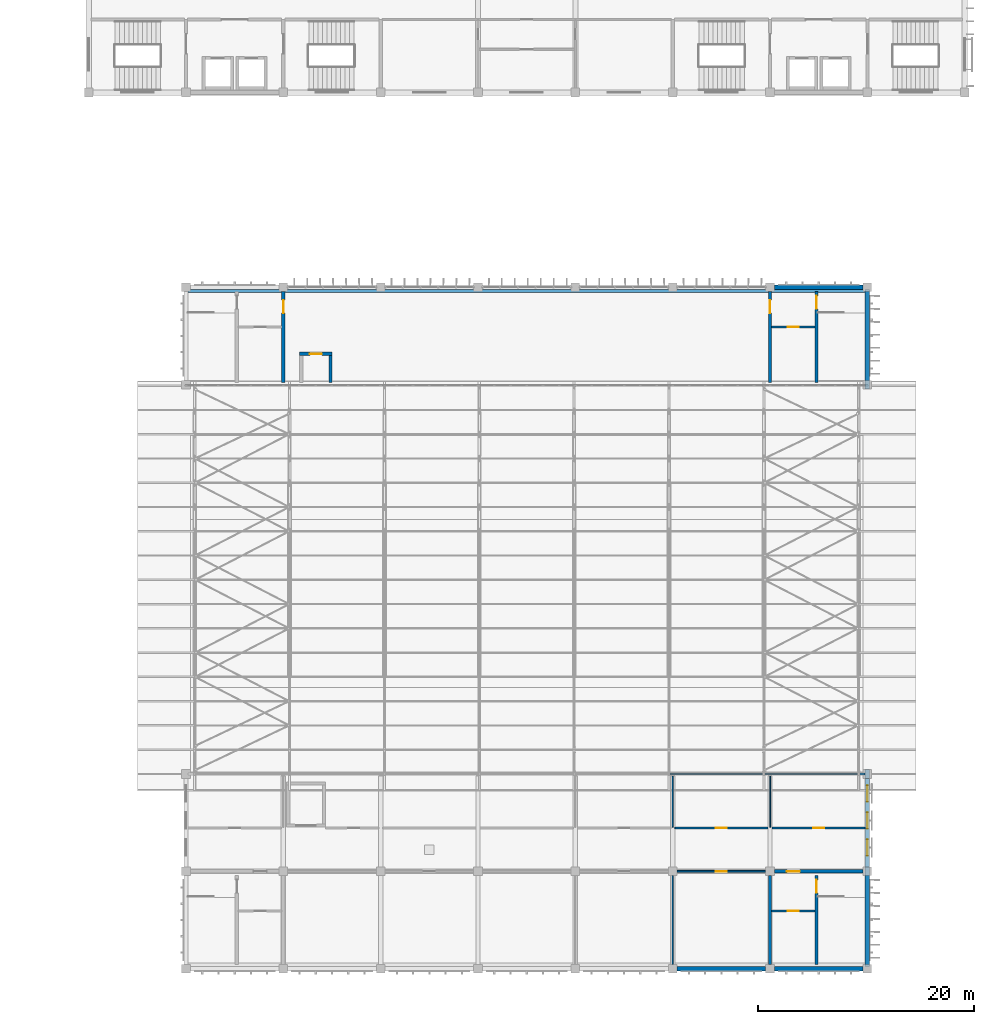
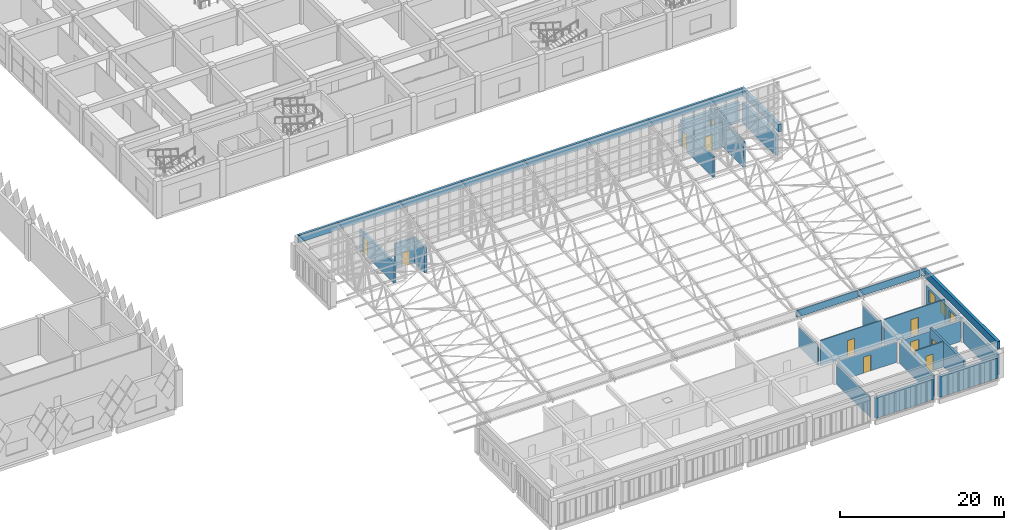
# One storey, part 121 of 185: 28 walls, 11 doors, 3 windows, 14 openings.
"""IFC4 building model written with IfcOpenShell, lengths in metres."""

from ifc_helpers import new_model, si_unit, direction, frame, frame_2d, origin, place, context, subcontext, project, spatial, rectangle, extrude, material, layer, layer_set, type_object, element, fill, save


model = new_model("IFC4")

# Units and contexts
model_context = context("Model", 3, precision=1e-05, world=origin(), true_north=direction((0.0, 1.0)))
body_context = subcontext(model_context, "Body", "Model", "MODEL_VIEW")
ifc_project = project(units=[si_unit("LENGTHUNIT", "METRE"), si_unit("AREAUNIT", "SQUARE_METRE"), si_unit("VOLUMEUNIT", "CUBIC_METRE"), si_unit("PLANEANGLEUNIT", "RADIAN"), si_unit("MASSUNIT", "GRAM", prefix="KILO")], contexts=[model_context])

# Site, building, storey
site_placement = place(None, origin())
site = spatial("IfcSite", under=ifc_project, at=site_placement, CompositionType="ELEMENT")
building_placement = place(site_placement, origin())
building = spatial("IfcBuilding", under=site, at=building_placement, Name="Opaline Strait Convention Centre", CompositionType="ELEMENT")
storey_placement = place(building_placement, frame((0.0, 0.0, 6.0)))
storey = spatial("IfcBuildingStorey", under=building, at=storey_placement, Name="L01", CompositionType="ELEMENT", Elevation=6.0)

# Wall, opening, door
ifc_material_1 = material(Name="Concrete C40", Category="concrete")
ifc_layer_1 = layer(ifc_material_1, 0.300048828125)
ifc_layer_set_1 = layer_set([ifc_layer_1], Name="Concrete C40")
wall_type_1 = type_object("IfcWallType", Name="Core enclosure wall 300 C40", PredefinedType="STANDARD", material=ifc_layer_set_1)
wall_1_placement = place(storey_placement, frame((346.300048828125, 9.39990234375, 0.0), z_axis=(0.0, 0.0, 1.0), x_axis=(0.0, 1.0, 0.0)))
wall_1 = element("IfcWall", 1, at=wall_1_placement, inside=storey, type_object=wall_type_1, Name="Stair enclosure wall L01 SE", PredefinedType="STANDARD", context=body_context, shape_type="SweptSolid", body=[
    extrude(rectangle(XDim=8.2001953125, YDim=0.300048828125, at=frame_2d((4.10009765625, 0.0))), origin(), (0.0, 0.0, 1.0), 3.75),
])
opening_1_placement = place(wall_1_placement, frame((6.60009765625, 0.0, 0.0)))
opening_1 = element("IfcOpeningElement", 2, at=opening_1_placement, cuts=wall_1, Name="Opening B1-004", PredefinedType="OPENING", context=body_context, shape_type="SweptSolid", body=[
    extrude(rectangle(XDim=1.199951171875, YDim=2.39990234375, at=frame_2d((0.60009765625, 1.199951171875))), frame((0.0, 0.159912109375, 0.0), z_axis=(0.0, -1.0, 0.0), x_axis=(1.0, 0.0, 0.0)), (0.0, 0.0, 1.0), 0.320068359375),
])
ifc_material_2 = material(Name="Steel Q235B", Category="steel")
door_type_1 = type_object("IfcDoorType", Name="Single fire door FD60 1200 x 2400", OperationType="SINGLE_SWING_LEFT", PredefinedType="DOOR", material=ifc_material_2)
door_1_placement = place(opening_1_placement, origin())
door_1 = element("IfcDoor", 3, at=door_1_placement, inside=storey, type_object=door_type_1, Name="Stair door L01 SE", ObjectType="BD5", OperationType="SINGLE_SWING_LEFT", OverallHeight=2.39990234375, OverallWidth=1.199951171875, PredefinedType="DOOR", context=body_context, shape_type="SweptSolid", body=[
    extrude(rectangle(XDim=1.199951171875, YDim=2.39990234375, at=frame_2d((0.60009765625, 1.199951171875))), frame((0.0, 0.02490234375, 0.0), z_axis=(0.0, -1.0, 0.0), x_axis=(1.0, 0.0, 0.0)), (0.0, 0.0, 1.0), 0.050048828125),
])
fill(opening_1, door_1)

# Wall
wall_2_placement = place(storey_placement, frame((342.0, 9.39990234375, 0.0), z_axis=(0.0, 0.0, 1.0), x_axis=(0.0, 1.0, 0.0)))
element("IfcWall", 4, at=wall_2_placement, inside=storey, type_object=wall_type_1, Name="Core wall L01 SE", PredefinedType="STANDARD", context=body_context, shape_type="SweptSolid", body=[
    extrude(rectangle(XDim=8.2001953125, YDim=0.300048828125, at=frame_2d((4.10009765625, 0.0))), origin(), (0.0, 0.0, 1.0), 3.050048828125),
])

# Wall, opening, door
wall_3_placement = place(storey_placement, frame((342.39990234375, 18.0, 0.0), z_axis=(0.0, 0.0, 1.0), x_axis=(1.0, 0.0, 0.0)))
wall_3 = element("IfcWall", 5, at=wall_3_placement, inside=storey, type_object=wall_type_1, Name="Core north wall L01 SE", PredefinedType="STANDARD", context=body_context, shape_type="SweptSolid", body=[
    extrude(rectangle(XDim=8.2001953125, YDim=0.300048828125, at=frame_2d((4.10009765625, 0.0))), origin(), (0.0, 0.0, 1.0), 3.050048828125),
])
opening_2_placement = place(wall_3_placement, frame((1.14990234375, 0.0, 0.0)))
opening_2 = element("IfcOpeningElement", 6, at=opening_2_placement, cuts=wall_3, Name="Opening B1-005", PredefinedType="OPENING", context=body_context, shape_type="SweptSolid", body=[
    extrude(rectangle(XDim=1.199951171875, YDim=2.39990234375, at=frame_2d((0.60009765625, 1.199951171875))), frame((0.0, 0.159912109375, 0.0), z_axis=(0.0, -1.0, 0.0), x_axis=(1.0, 0.0, 0.0)), (0.0, 0.0, 1.0), 0.320068359375),
])
door_2_placement = place(opening_2_placement, origin())
door_2 = element("IfcDoor", 7, at=door_2_placement, inside=storey, type_object=door_type_1, Name="Stair lobby door L01 SE", ObjectType="BD5", OperationType="SINGLE_SWING_RIGHT", OverallHeight=2.39990234375, OverallWidth=1.199951171875, PredefinedType="DOOR", context=body_context, shape_type="SweptSolid", body=[
    extrude(rectangle(XDim=1.199951171875, YDim=2.39990234375, at=frame_2d((0.60009765625, 1.199951171875))), frame((0.0, 0.02490234375, 0.0), z_axis=(0.0, -1.0, 0.0), x_axis=(1.0, 0.0, 0.0)), (0.0, 0.0, 1.0), 0.050048828125),
])
fill(opening_2, door_2)

wall_4_placement = place(storey_placement, frame((297.0, 63.199951171875, 0.0), z_axis=(0.0, 0.0, 1.0), x_axis=(0.0, 1.0, 0.0)))
wall_4 = element("IfcWall", 8, at=wall_4_placement, inside=storey, type_object=wall_type_1, Name="Core wall L01 NW", PredefinedType="STANDARD", context=body_context, shape_type="SweptSolid", body=[
    extrude(rectangle(XDim=8.400146484375, YDim=0.300048828125, at=frame_2d((4.2001953125, 0.0))), origin(), (0.0, 0.0, 1.0), 3.050048828125),
])
opening_3_placement = place(wall_4_placement, frame((6.39990234375, 0.0, 0.0)))
opening_3 = element("IfcOpeningElement", 9, at=opening_3_placement, cuts=wall_4, Name="Opening B1-008", PredefinedType="OPENING", context=body_context, shape_type="SweptSolid", body=[
    extrude(rectangle(XDim=1.199951171875, YDim=2.39990234375, at=frame_2d((0.60009765625, 1.199951171875))), frame((0.0, 0.159912109375, 0.0), z_axis=(0.0, -1.0, 0.0), x_axis=(1.0, 0.0, 0.0)), (0.0, 0.0, 1.0), 0.320068359375),
])
door_3_placement = place(opening_3_placement, frame((1.199951171875, 0.0, 0.0), z_axis=(0.0, 0.0, 1.0), x_axis=(-1.0, 0.0, 0.0)))
door_3 = element("IfcDoor", 10, at=door_3_placement, inside=storey, type_object=door_type_1, Name="Stair lobby door L01 NW", ObjectType="BD5", OperationType="SINGLE_SWING_RIGHT", OverallHeight=2.39990234375, OverallWidth=1.199951171875, PredefinedType="DOOR", context=body_context, shape_type="SweptSolid", body=[
    extrude(rectangle(XDim=1.199951171875, YDim=2.39990234375, at=frame_2d((0.60009765625, 1.199951171875))), frame((0.0, 0.02490234375, 0.0), z_axis=(0.0, -1.0, 0.0), x_axis=(1.0, 0.0, 0.0)), (0.0, 0.0, 1.0), 0.050048828125),
])
fill(opening_3, door_3)

wall_5_placement = place(storey_placement, frame((346.300048828125, 63.199951171875, 0.0), z_axis=(0.0, 0.0, 1.0), x_axis=(0.0, 1.0, 0.0)))
wall_5 = element("IfcWall", 11, at=wall_5_placement, inside=storey, type_object=wall_type_1, Name="Stair enclosure wall L01 NE", PredefinedType="STANDARD", context=body_context, shape_type="SweptSolid", body=[
    extrude(rectangle(XDim=8.400146484375, YDim=0.300048828125, at=frame_2d((4.2001953125, 0.0))), origin(), (0.0, 0.0, 1.0), 3.75),
])
opening_4_placement = place(wall_5_placement, frame((6.800048828125, 0.0, 0.0)))
opening_4 = element("IfcOpeningElement", 12, at=opening_4_placement, cuts=wall_5, Name="Opening B1-010", PredefinedType="OPENING", context=body_context, shape_type="SweptSolid", body=[
    extrude(rectangle(XDim=1.199951171875, YDim=2.39990234375, at=frame_2d((0.60009765625, 1.199951171875))), frame((0.0, 0.159912109375, 0.0), z_axis=(0.0, -1.0, 0.0), x_axis=(1.0, 0.0, 0.0)), (0.0, 0.0, 1.0), 0.320068359375),
])
door_4_placement = place(opening_4_placement, origin())
door_4 = element("IfcDoor", 13, at=door_4_placement, inside=storey, type_object=door_type_1, Name="Stair door L01 NE", ObjectType="BD5", OperationType="SINGLE_SWING_LEFT", OverallHeight=2.39990234375, OverallWidth=1.199951171875, PredefinedType="DOOR", context=body_context, shape_type="SweptSolid", body=[
    extrude(rectangle(XDim=1.199951171875, YDim=2.39990234375, at=frame_2d((0.60009765625, 1.199951171875))), frame((0.0, 0.02490234375, 0.0), z_axis=(0.0, -1.0, 0.0), x_axis=(1.0, 0.0, 0.0)), (0.0, 0.0, 1.0), 0.050048828125),
])
fill(opening_4, door_4)

wall_6_placement = place(storey_placement, frame((342.0, 63.199951171875, 0.0), z_axis=(0.0, 0.0, 1.0), x_axis=(0.0, 1.0, 0.0)))
wall_6 = element("IfcWall", 14, at=wall_6_placement, inside=storey, type_object=wall_type_1, Name="Core wall L01 NE", PredefinedType="STANDARD", context=body_context, shape_type="SweptSolid", body=[
    extrude(rectangle(XDim=8.400146484375, YDim=0.300048828125, at=frame_2d((4.2001953125, 0.0))), origin(), (0.0, 0.0, 1.0), 3.050048828125),
])
opening_5_placement = place(wall_6_placement, frame((6.39990234375, 0.0, 0.0)))
opening_5 = element("IfcOpeningElement", 15, at=opening_5_placement, cuts=wall_6, Name="Opening B1-011", PredefinedType="OPENING", context=body_context, shape_type="SweptSolid", body=[
    extrude(rectangle(XDim=1.199951171875, YDim=2.39990234375, at=frame_2d((0.60009765625, 1.199951171875))), frame((0.0, 0.159912109375, 0.0), z_axis=(0.0, -1.0, 0.0), x_axis=(1.0, 0.0, 0.0)), (0.0, 0.0, 1.0), 0.320068359375),
])
door_5_placement = place(opening_5_placement, origin())
door_5 = element("IfcDoor", 16, at=door_5_placement, inside=storey, type_object=door_type_1, Name="Stair lobby door L01 NE", ObjectType="BD5", OperationType="SINGLE_SWING_LEFT", OverallHeight=2.39990234375, OverallWidth=1.199951171875, PredefinedType="DOOR", context=body_context, shape_type="SweptSolid", body=[
    extrude(rectangle(XDim=1.199951171875, YDim=2.39990234375, at=frame_2d((0.60009765625, 1.199951171875))), frame((0.0, 0.02490234375, 0.0), z_axis=(0.0, -1.0, 0.0), x_axis=(1.0, 0.0, 0.0)), (0.0, 0.0, 1.0), 0.050048828125),
])
fill(opening_5, door_5)

ifc_material_3 = material(Name="Gypsum board and steel stud partition", Category="steel")
ifc_layer_2 = layer(ifc_material_3, 0.14990234375)
ifc_layer_set_2 = layer_set([ifc_layer_2], Name="Gypsum board and steel stud partition")
wall_type_2 = type_object("IfcWallType", Name="Corridor partition 150 EI 60", PredefinedType="PARTITIONING", material=ifc_layer_set_2)
wall_7_placement = place(storey_placement, frame((342.14990234375, 14.324951171875, 0.0), z_axis=(0.0, 0.0, 1.0), x_axis=(1.0, 0.0, 0.0)))
wall_7 = element("IfcWall", 17, at=wall_7_placement, inside=storey, type_object=wall_type_2, Name="Lobby partition L01 SE", PredefinedType="PARTITIONING", context=body_context, shape_type="SweptSolid", body=[
    extrude(rectangle(XDim=4.0, YDim=0.14990234375, at=frame_2d((2.0, 0.0))), origin(), (0.0, 0.0, 1.0), 3.75),
])
opening_6_placement = place(wall_7_placement, frame((1.5, 0.0, 0.0)))
opening_6 = element("IfcOpeningElement", 18, at=opening_6_placement, cuts=wall_7, Name="Opening B1-006", PredefinedType="OPENING", context=body_context, shape_type="SweptSolid", body=[
    extrude(rectangle(XDim=1.0, YDim=2.39990234375, at=frame_2d((0.5, 1.199951171875))), frame((0.0, 0.0849609375, 0.0), z_axis=(0.0, -1.0, 0.0), x_axis=(1.0, 0.0, 0.0)), (0.0, 0.0, 1.0), 0.169921875),
])
ifc_material_4 = material(Name="Solid timber door leaf", Category="wood")
door_type_2 = type_object("IfcDoorType", Name="Single room door 1000 x 2400", OperationType="SINGLE_SWING_LEFT", PredefinedType="DOOR", material=ifc_material_4)
door_6_placement = place(opening_6_placement, origin())
door_6 = element("IfcDoor", 19, at=door_6_placement, inside=storey, type_object=door_type_2, Name="Accessible WC door L01", ObjectType="BD3", OperationType="SINGLE_SWING_LEFT", OverallHeight=2.39990234375, OverallWidth=1.0, PredefinedType="DOOR", context=body_context, shape_type="SweptSolid", body=[
    extrude(rectangle(XDim=1.0, YDim=2.39990234375, at=frame_2d((0.5, 1.199951171875))), frame((0.0, 0.02490234375, 0.0), z_axis=(0.0, -1.0, 0.0), x_axis=(1.0, 0.0, 0.0)), (0.0, 0.0, 1.0), 0.050048828125),
])
fill(opening_6, door_6)

wall_8_placement = place(storey_placement, frame((342.14990234375, 68.324951171875, 0.0), z_axis=(0.0, 0.0, 1.0), x_axis=(1.0, 0.0, 0.0)))
wall_8 = element("IfcWall", 20, at=wall_8_placement, inside=storey, type_object=wall_type_2, Name="Lobby partition L01 NE", PredefinedType="PARTITIONING", context=body_context, shape_type="SweptSolid", body=[
    extrude(rectangle(XDim=4.0, YDim=0.14990234375, at=frame_2d((2.0, 0.0))), origin(), (0.0, 0.0, 1.0), 3.75),
])
opening_7_placement = place(wall_8_placement, frame((1.5, 0.0, 0.0)))
opening_7 = element("IfcOpeningElement", 21, at=opening_7_placement, cuts=wall_8, Name="Opening B1-012", PredefinedType="OPENING", context=body_context, shape_type="SweptSolid", body=[
    extrude(rectangle(XDim=1.0, YDim=2.39990234375, at=frame_2d((0.5, 1.199951171875))), frame((0.0, 0.0849609375, 0.0), z_axis=(0.0, -1.0, 0.0), x_axis=(1.0, 0.0, 0.0)), (0.0, 0.0, 1.0), 0.169921875),
])
door_7_placement = place(opening_7_placement, origin())
door_7 = element("IfcDoor", 22, at=door_7_placement, inside=storey, type_object=door_type_2, Name="AV control room door L01", ObjectType="BD3", OperationType="SINGLE_SWING_LEFT", OverallHeight=2.39990234375, OverallWidth=1.0, PredefinedType="DOOR", context=body_context, shape_type="SweptSolid", body=[
    extrude(rectangle(XDim=1.0, YDim=2.39990234375, at=frame_2d((0.5, 1.199951171875))), frame((0.0, 0.02490234375, 0.0), z_axis=(0.0, -1.0, 0.0), x_axis=(1.0, 0.0, 0.0)), (0.0, 0.0, 1.0), 0.050048828125),
])
fill(opening_7, door_7)

wall_9_placement = place(storey_placement, frame((333.39990234375, 18.0, 0.0), z_axis=(0.0, 0.0, 1.0), x_axis=(1.0, 0.0, 0.0)))
wall_9 = element("IfcWall", 23, at=wall_9_placement, inside=storey, type_object=wall_type_2, Name="Corridor wall L01 y18 bay 5", PredefinedType="PARTITIONING", context=body_context, shape_type="SweptSolid", body=[
    extrude(rectangle(XDim=8.2001953125, YDim=0.14990234375, at=frame_2d((4.10009765625, 0.0))), origin(), (0.0, 0.0, 1.0), 3.050048828125),
])
opening_8_placement = place(wall_9_placement, frame((3.60009765625, 0.0, 0.0)))
opening_8 = element("IfcOpeningElement", 24, at=opening_8_placement, cuts=wall_9, Name="Opening B1-015", PredefinedType="OPENING", context=body_context, shape_type="SweptSolid", body=[
    extrude(rectangle(XDim=1.0, YDim=2.39990234375, at=frame_2d((0.5, 1.199951171875))), frame((0.0, 0.0849609375, 0.0), z_axis=(0.0, -1.0, 0.0), x_axis=(1.0, 0.0, 0.0)), (0.0, 0.0, 1.0), 0.169921875),
])
door_type_3 = type_object("IfcDoorType", Name="Single fire door FD30 1000 x 2400", OperationType="SINGLE_SWING_LEFT", PredefinedType="DOOR", material=ifc_material_2)
door_8_placement = place(opening_8_placement, origin())
door_8 = element("IfcDoor", 25, at=door_8_placement, inside=storey, type_object=door_type_3, Name="Room door L01 y18 5", ObjectType="BD2", OperationType="SINGLE_SWING_LEFT", OverallHeight=2.39990234375, OverallWidth=1.0, PredefinedType="DOOR", context=body_context, shape_type="SweptSolid", body=[
    extrude(rectangle(XDim=1.0, YDim=2.39990234375, at=frame_2d((0.5, 1.199951171875))), frame((0.0, 0.02490234375, 0.0), z_axis=(0.0, -1.0, 0.0), x_axis=(1.0, 0.0, 0.0)), (0.0, 0.0, 1.0), 0.050048828125),
])
fill(opening_8, door_8)

wall_10_placement = place(storey_placement, frame((333.199951171875, 22.0, 0.0), z_axis=(0.0, 0.0, 1.0), x_axis=(1.0, 0.0, 0.0)))
wall_10 = element("IfcWall", 26, at=wall_10_placement, inside=storey, type_object=wall_type_2, Name="Corridor wall L01 y22 bay 5", PredefinedType="PARTITIONING", context=body_context, shape_type="SweptSolid", body=[
    extrude(rectangle(XDim=8.60009765625, YDim=0.14990234375, at=frame_2d((4.300048828125, 0.0))), origin(), (0.0, 0.0, 1.0), 3.75),
])
opening_9_placement = place(wall_10_placement, frame((3.800048828125, 0.0, 0.0)))
opening_9 = element("IfcOpeningElement", 27, at=opening_9_placement, cuts=wall_10, Name="Opening B1-019", PredefinedType="OPENING", context=body_context, shape_type="SweptSolid", body=[
    extrude(rectangle(XDim=1.0, YDim=2.39990234375, at=frame_2d((0.5, 1.199951171875))), frame((0.0, 0.0849609375, 0.0), z_axis=(0.0, -1.0, 0.0), x_axis=(1.0, 0.0, 0.0)), (0.0, 0.0, 1.0), 0.169921875),
])
door_9_placement = place(opening_9_placement, frame((1.0, 0.0, 0.0), z_axis=(0.0, 0.0, 1.0), x_axis=(-1.0, 0.0, 0.0)))
door_9 = element("IfcDoor", 28, at=door_9_placement, inside=storey, type_object=door_type_3, Name="Room door L01 y22 5", ObjectType="BD2", OperationType="SINGLE_SWING_RIGHT", OverallHeight=2.39990234375, OverallWidth=1.0, PredefinedType="DOOR", context=body_context, shape_type="SweptSolid", body=[
    extrude(rectangle(XDim=1.0, YDim=2.39990234375, at=frame_2d((0.5, 1.199951171875))), frame((0.0, 0.02490234375, 0.0), z_axis=(0.0, -1.0, 0.0), x_axis=(1.0, 0.0, 0.0)), (0.0, 0.0, 1.0), 0.050048828125),
])
fill(opening_9, door_9)

wall_11_placement = place(storey_placement, frame((342.199951171875, 22.0, 0.0), z_axis=(0.0, 0.0, 1.0), x_axis=(1.0, 0.0, 0.0)))
wall_11 = element("IfcWall", 29, at=wall_11_placement, inside=storey, type_object=wall_type_2, Name="Corridor wall L01 y22 bay 6", PredefinedType="PARTITIONING", context=body_context, shape_type="SweptSolid", body=[
    extrude(rectangle(XDim=8.60009765625, YDim=0.14990234375, at=frame_2d((4.300048828125, 0.0))), origin(), (0.0, 0.0, 1.0), 3.75),
])
opening_10_placement = place(wall_11_placement, frame((3.800048828125, 0.0, 0.0)))
opening_10 = element("IfcOpeningElement", 30, at=opening_10_placement, cuts=wall_11, Name="Opening B1-020", PredefinedType="OPENING", context=body_context, shape_type="SweptSolid", body=[
    extrude(rectangle(XDim=1.0, YDim=2.39990234375, at=frame_2d((0.5, 1.199951171875))), frame((0.0, 0.0849609375, 0.0), z_axis=(0.0, -1.0, 0.0), x_axis=(1.0, 0.0, 0.0)), (0.0, 0.0, 1.0), 0.169921875),
])
door_10_placement = place(opening_10_placement, frame((1.0, 0.0, 0.0), z_axis=(0.0, 0.0, 1.0), x_axis=(-1.0, 0.0, 0.0)))
door_10 = element("IfcDoor", 31, at=door_10_placement, inside=storey, type_object=door_type_3, Name="Room door L01 y22 6", ObjectType="BD2", OperationType="SINGLE_SWING_RIGHT", OverallHeight=2.39990234375, OverallWidth=1.0, PredefinedType="DOOR", context=body_context, shape_type="SweptSolid", body=[
    extrude(rectangle(XDim=1.0, YDim=2.39990234375, at=frame_2d((0.5, 1.199951171875))), frame((0.0, 0.02490234375, 0.0), z_axis=(0.0, -1.0, 0.0), x_axis=(1.0, 0.0, 0.0)), (0.0, 0.0, 1.0), 0.050048828125),
])
fill(opening_10, door_10)

# Walls
ifc_material_5 = material(Name="Concrete C40 precast white", Category="concrete")
ifc_layer_3 = layer(ifc_material_5, 0.1201171875)
ifc_material_6 = material(Name="Mineral wool insulation")
ifc_layer_4 = layer(ifc_material_6, 0.050048828125)
ifc_material_7 = material(Name="Gypsum board lining")
ifc_layer_5 = layer(ifc_material_7, 0.030029296875)
ifc_layer_set_3 = layer_set([ifc_layer_3, ifc_layer_4, ifc_layer_5], Name="Concrete C40 precast white, Mineral wool insulation, Gypsum board lining")
wall_type_3 = type_object("IfcWallType", Name="Eaves closure panel 200", PredefinedType="STANDARD", material=ifc_layer_set_3)
for number, where, z_axis, x_axis, name in (
    (32, (332.74462890625, 27.0, 4.324951171875), (0.0, 0.0, 1.0), (1.0, 0.0, 0.0), "Ballroom south eaves closure panel 7"),
    (33, (341.51611328125, 27.0, 4.324951171875), (0.0, 0.0, 1.0), (1.0, 0.0, 0.0), "Ballroom south eaves closure panel 8"),
):
    element("IfcWall", number, at=place(storey_placement, frame(where, z_axis=z_axis, x_axis=x_axis)), inside=storey, type_object=wall_type_3, Name=name, PredefinedType="STANDARD", context=body_context, shape_type="SweptSolid", body=[
        extrude(rectangle(XDim=8.596435546875, YDim=0.199951171875, at=frame_2d((4.29833984375, 0.0))), origin(), (0.0, 0.0, 1.0), 1.060546875),
    ])
wall_12_placement = place(storey_placement, frame((350.28759765625, 27.0, 4.324951171875), z_axis=(0.0, 0.0, 1.0), x_axis=(1.0, 0.0, 0.0)))
element("IfcWall", 34, at=wall_12_placement, inside=storey, type_object=wall_type_3, Name="Ballroom south eaves closure panel 9", PredefinedType="STANDARD", context=body_context, shape_type="SweptSolid", body=[
    extrude(rectangle(XDim=0.512451171875, YDim=0.199951171875, at=frame_2d((0.25634765625, 0.0))), origin(), (0.0, 0.0, 1.0), 1.060546875),
])

# Wall, opening, door
ifc_layer_6 = layer(ifc_material_1, 0.300048828125)
ifc_layer_set_4 = layer_set([ifc_layer_6], Name="Concrete C40")
wall_type_4 = type_object("IfcWallType", Name="Lift shaft wall 300 C40", PredefinedType="SHEAR", material=ifc_layer_set_4)
wall_13_placement = place(storey_placement, frame((298.5, 65.85009765625, 0.0), z_axis=(0.0, 0.0, 1.0), x_axis=(1.0, 0.0, 0.0)))
wall_13 = element("IfcWall", 35, at=wall_13_placement, inside=storey, type_object=wall_type_4, Name="Passenger Lift shaft wall L01 N", PredefinedType="SHEAR", context=body_context, shape_type="SweptSolid", body=[
    extrude(rectangle(XDim=3.0, YDim=0.300048828125, at=frame_2d((1.5, 0.0))), origin(), (0.0, 0.0, 1.0), 3.75),
])
opening_11_placement = place(wall_13_placement, frame((0.949951171875, 0.0, 0.0)))
opening_11 = element("IfcOpeningElement", 36, at=opening_11_placement, cuts=wall_13, Name="Opening B1-022", PredefinedType="OPENING", context=body_context, shape_type="SweptSolid", body=[
    extrude(rectangle(XDim=1.10009765625, YDim=2.10009765625, at=frame_2d((0.550048828125, 1.050048828125))), frame((0.0, 0.159912109375, 0.0), z_axis=(0.0, -1.0, 0.0), x_axis=(1.0, 0.0, 0.0)), (0.0, 0.0, 1.0), 0.320068359375),
])
ifc_material_8 = material(Name="Stainless steel 304", Category="steel")
door_type_4 = type_object("IfcDoorType", Name="Lift landing door passenger 1100 x 2100", OperationType="SLIDING_TO_LEFT", PredefinedType="DOOR", material=ifc_material_8)
door_11_placement = place(opening_11_placement, origin())
door_11 = element("IfcDoor", 37, at=door_11_placement, inside=storey, type_object=door_type_4, Name="Passenger Lift landing door L01", ObjectType="BLD2", OperationType="SLIDING_TO_RIGHT", OverallHeight=2.10009765625, OverallWidth=1.10009765625, PredefinedType="DOOR", context=body_context, shape_type="SweptSolid", body=[
    extrude(rectangle(XDim=1.10009765625, YDim=2.10009765625, at=frame_2d((0.550048828125, 1.050048828125))), frame((0.0, 0.02490234375, 0.0), z_axis=(0.0, -1.0, 0.0), x_axis=(1.0, 0.0, 0.0)), (0.0, 0.0, 1.0), 0.050048828125),
])
fill(opening_11, door_11)

# Walls
wall_14_placement = place(storey_placement, frame((301.35009765625, 63.199951171875, 0.0), z_axis=(0.0, 0.0, 1.0), x_axis=(0.0, 1.0, 0.0)))
element("IfcWall", 38, at=wall_14_placement, inside=storey, type_object=wall_type_4, Name="Passenger Lift shaft wall L01 E", PredefinedType="SHEAR", context=body_context, shape_type="SweptSolid", body=[
    extrude(rectangle(XDim=2.5, YDim=0.300048828125, at=frame_2d((1.25, 0.0))), origin(), (0.0, 0.0, 1.0), 3.75),
])
ifc_material_9 = material(Name="Concrete C40 precast", Category="concrete")
ifc_layer_7 = layer(ifc_material_9, 0.080078125)
ifc_layer_8 = layer(ifc_material_6, 0.1201171875)
ifc_material_10 = material(Name="Concrete C30", Category="concrete")
ifc_layer_9 = layer(ifc_material_10, 0.10009765625)
ifc_layer_set_5 = layer_set([ifc_layer_7, ifc_layer_8, ifc_layer_9], Name="Concrete C40 precast, Mineral wool insulation, Concrete C30")
wall_type_5 = type_object("IfcWallType", Name="Parapet wall precast 300", PredefinedType="PARAPET", material=ifc_layer_set_5)
wall_15_placement = place(storey_placement, frame((288.199951171875, 71.64990234375, 4.0), z_axis=(0.0, 0.0, 1.0), x_axis=(1.0, 0.0, 0.0)))
element("IfcWall", 39, at=wall_15_placement, inside=storey, type_object=wall_type_5, Name="Foyer strip roof parapet north", PredefinedType="PARAPET", context=body_context, shape_type="SweptSolid", body=[
    extrude(rectangle(XDim=62.60009765625, YDim=0.300048828125, at=frame_2d((31.300048828125, 0.0))), origin(), (0.0, 0.0, 1.0), 1.12109375),
])
ifc_layer_10 = layer(ifc_material_9, 0.080078125)
ifc_layer_11 = layer(ifc_material_6, 0.139892578125)
ifc_layer_12 = layer(ifc_material_10, 0.179931640625)
ifc_layer_set_6 = layer_set([ifc_layer_10, ifc_layer_11, ifc_layer_12], Name="Concrete C40 precast, Mineral wool insulation, Concrete C30")
wall_type_6 = type_object("IfcWallType", Name="Parapet wall precast 400", PredefinedType="PARAPET", material=ifc_layer_set_6)
wall_16_placement = place(storey_placement, frame((351.0, 9.199951171875, 4.0), z_axis=(0.0, 0.0, 1.0), x_axis=(0.0, 1.0, 0.0)))
element("IfcWall", 40, at=wall_16_placement, inside=storey, type_object=wall_type_6, Name="Kitchen strip roof parapet east", PredefinedType="PARAPET", context=body_context, shape_type="SweptSolid", body=[
    extrude(rectangle(XDim=18.199951171875, YDim=0.39990234375, at=frame_2d((9.10009765625, 0.0))), origin(), (0.0, 0.0, 1.0), 1.12109375),
])
wall_17_placement = place(storey_placement, frame((351.0, 62.60009765625, 4.0), z_axis=(0.0, 0.0, 1.0), x_axis=(0.0, 1.0, 0.0)))
element("IfcWall", 41, at=wall_17_placement, inside=storey, type_object=wall_type_6, Name="Foyer strip roof parapet east", PredefinedType="PARAPET", context=body_context, shape_type="SweptSolid", body=[
    extrude(rectangle(XDim=9.199951171875, YDim=0.39990234375, at=frame_2d((4.60009765625, 0.0))), origin(), (0.0, 0.0, 1.0), 1.12109375),
])
ifc_layer_13 = layer(ifc_material_9, 0.080078125)
ifc_material_11 = material(Name="Ventilated air cavity")
ifc_layer_14 = layer(ifc_material_11, 0.030029296875)
ifc_layer_15 = layer(ifc_material_6, 0.139892578125)
ifc_layer_16 = layer(ifc_material_10, 0.14990234375)
ifc_layer_set_7 = layer_set([ifc_layer_13, ifc_layer_14, ifc_layer_15, ifc_layer_16], Name="Concrete C40 precast, Ventilated air cavity, Mineral wool insulation, Concrete C30")
wall_type_7 = type_object("IfcWallType", Name="Precast insulated wall 400", PredefinedType="STANDARD", material=ifc_layer_set_7)
wall_18_placement = place(storey_placement, frame((351.0, 9.39990234375, 0.0), z_axis=(0.0, 0.0, 1.0), x_axis=(0.0, 1.0, 0.0)))
element("IfcWall", 42, at=wall_18_placement, inside=storey, type_object=wall_type_7, Name="Ballroom east wall L01 E9", PredefinedType="STANDARD", context=body_context, shape_type="SweptSolid", body=[
    extrude(rectangle(XDim=8.2001953125, YDim=0.39990234375, at=frame_2d((4.10009765625, 0.0))), origin(), (0.0, 0.0, 1.0), 3.050048828125),
])

# Wall, openings, windows
wall_19_placement = place(storey_placement, frame((351.0, 18.39990234375, 0.0), z_axis=(0.0, 0.0, 1.0), x_axis=(0.0, 1.0, 0.0)))
wall_19 = element("IfcWall", 43, at=wall_19_placement, inside=storey, type_object=wall_type_7, Name="Ballroom east wall L01 E18", PredefinedType="STANDARD", context=body_context, shape_type="SweptSolid", body=[
    extrude(rectangle(XDim=8.2001953125, YDim=0.39990234375, at=frame_2d((4.10009765625, 0.0))), origin(), (0.0, 0.0, 1.0), 3.050048828125),
])
opening_12_placement = place(wall_19_placement, frame((1.050048828125, 0.0, 0.89990234375)))
opening_12 = element("IfcOpeningElement", 44, at=opening_12_placement, cuts=wall_19, Name="Opening BV2", PredefinedType="OPENING", context=body_context, shape_type="SweptSolid", body=[
    extrude(rectangle(XDim=1.5, YDim=1.800048828125, at=frame_2d((0.75, 0.89990234375))), frame((0.0, 0.2099609375, 0.0), z_axis=(0.0, -1.0, 0.0), x_axis=(1.0, 0.0, 0.0)), (0.0, 0.0, 1.0), 0.419921875),
])
opening_13_placement = place(wall_19_placement, frame((3.550048828125, 0.0, 0.89990234375)))
opening_13 = element("IfcOpeningElement", 45, at=opening_13_placement, cuts=wall_19, Name="Opening BV2", PredefinedType="OPENING", context=body_context, shape_type="SweptSolid", body=[
    extrude(rectangle(XDim=1.5, YDim=1.800048828125, at=frame_2d((0.75, 0.89990234375))), frame((0.0, 0.2099609375, 0.0), z_axis=(0.0, -1.0, 0.0), x_axis=(1.0, 0.0, 0.0)), (0.0, 0.0, 1.0), 0.419921875),
])
opening_14_placement = place(wall_19_placement, frame((6.050048828125, 0.0, 0.89990234375)))
opening_14 = element("IfcOpeningElement", 46, at=opening_14_placement, cuts=wall_19, Name="Opening BV2", PredefinedType="OPENING", context=body_context, shape_type="SweptSolid", body=[
    extrude(rectangle(XDim=1.5, YDim=1.800048828125, at=frame_2d((0.75, 0.89990234375))), frame((0.0, 0.2099609375, 0.0), z_axis=(0.0, -1.0, 0.0), x_axis=(1.0, 0.0, 0.0)), (0.0, 0.0, 1.0), 0.419921875),
])
ifc_material_12 = material(Name="Aluminium framed double glazing", Category="aluminium")
window_type = type_object("IfcWindowType", Name="Room window 1500 x 1800", PartitioningType="SINGLE_PANEL", PredefinedType="WINDOW", material=ifc_material_12)
window_1_placement = place(opening_12_placement, origin())
window_1 = element("IfcWindow", 47, at=window_1_placement, inside=storey, type_object=window_type, Name="Window L01 E 1", OverallHeight=1.800048828125, OverallWidth=1.5, PartitioningType="SINGLE_PANEL", PredefinedType="WINDOW", context=body_context, shape_type="SweptSolid", body=[
    extrude(rectangle(XDim=1.5, YDim=1.800048828125, at=frame_2d((0.75, 0.89990234375))), frame((0.0, 0.030029296875, 0.0), z_axis=(0.0, -1.0, 0.0), x_axis=(1.0, 0.0, 0.0)), (0.0, 0.0, 1.0), 0.06005859375),
])
fill(opening_12, window_1)
window_2_placement = place(opening_13_placement, origin())
window_2 = element("IfcWindow", 48, at=window_2_placement, inside=storey, type_object=window_type, Name="Window L01 E 2", OverallHeight=1.800048828125, OverallWidth=1.5, PartitioningType="SINGLE_PANEL", PredefinedType="WINDOW", context=body_context, shape_type="SweptSolid", body=[
    extrude(rectangle(XDim=1.5, YDim=1.800048828125, at=frame_2d((0.75, 0.89990234375))), frame((0.0, 0.030029296875, 0.0), z_axis=(0.0, -1.0, 0.0), x_axis=(1.0, 0.0, 0.0)), (0.0, 0.0, 1.0), 0.06005859375),
])
fill(opening_13, window_2)
window_3_placement = place(opening_14_placement, origin())
window_3 = element("IfcWindow", 49, at=window_3_placement, inside=storey, type_object=window_type, Name="Window L01 E 3", OverallHeight=1.800048828125, OverallWidth=1.5, PartitioningType="SINGLE_PANEL", PredefinedType="WINDOW", context=body_context, shape_type="SweptSolid", body=[
    extrude(rectangle(XDim=1.5, YDim=1.800048828125, at=frame_2d((0.75, 0.89990234375))), frame((0.0, 0.030029296875, 0.0), z_axis=(0.0, -1.0, 0.0), x_axis=(1.0, 0.0, 0.0)), (0.0, 0.0, 1.0), 0.06005859375),
])
fill(opening_14, window_3)

# Walls
for number, where, z_axis, x_axis, name in (
    (50, (351.0, 63.39990234375, 0.0), (0.0, 0.0, 1.0), (0.0, 1.0, 0.0), "Ballroom east wall L01 E63"),
    (51, (333.39990234375, 9.0, 0.0), (0.0, 0.0, 1.0), (1.0, 0.0, 0.0), "Ballroom south wall L01 bay 6"),
    (52, (342.39990234375, 9.0, 0.0), (0.0, 0.0, 1.0), (1.0, 0.0, 0.0), "Ballroom south wall L01 bay 7"),
    (53, (342.39990234375, 72.0, 0.0), (0.0, 0.0, 1.0), (1.0, 0.0, 0.0), "Ballroom north wall L01 core bay 7"),
):
    element("IfcWall", number, at=place(storey_placement, frame(where, z_axis=z_axis, x_axis=x_axis)), inside=storey, type_object=wall_type_7, Name=name, PredefinedType="STANDARD", context=body_context, shape_type="SweptSolid", body=[
        extrude(rectangle(XDim=8.2001953125, YDim=0.39990234375, at=frame_2d((4.10009765625, 0.0))), origin(), (0.0, 0.0, 1.0), 3.050048828125),
    ])
ifc_layer_17 = layer(ifc_material_3, 0.10009765625)
ifc_layer_set_8 = layer_set([ifc_layer_17], Name="Gypsum board and steel stud partition")
wall_type_8 = type_object("IfcWallType", Name="Room partition 100 EI 45", PredefinedType="PARTITIONING", material=ifc_layer_set_8)
for number, where, z_axis, x_axis, name in (
    (54, (333.0, 22.074951171875, 0.0), (0.0, 0.0, 1.0), (0.0, 1.0, 0.0), "Room partition L01 x333 north"),
    (55, (342.0, 22.074951171875, 0.0), (0.0, 0.0, 1.0), (0.0, 1.0, 0.0), "Room partition L01 x342 north"),
):
    element("IfcWall", number, at=place(storey_placement, frame(where, z_axis=z_axis, x_axis=x_axis)), inside=storey, type_object=wall_type_8, Name=name, PredefinedType="PARTITIONING", context=body_context, shape_type="SweptSolid", body=[
        extrude(rectangle(XDim=4.72509765625, YDim=0.10009765625, at=frame_2d((2.362548828125, 0.0))), origin(), (0.0, 0.0, 1.0), 3.050048828125),
    ])
wall_20_placement = place(storey_placement, frame((333.0, 9.39990234375, 0.0), z_axis=(0.0, 0.0, 1.0), x_axis=(0.0, 1.0, 0.0)))
element("IfcWall", 56, at=wall_20_placement, inside=storey, type_object=wall_type_8, Name="Room partition L01 x333 south", PredefinedType="PARTITIONING", context=body_context, shape_type="SweptSolid", body=[
    extrude(rectangle(XDim=8.2001953125, YDim=0.10009765625, at=frame_2d((4.10009765625, 0.0))), origin(), (0.0, 0.0, 1.0), 3.050048828125),
])

save(model, "model.ifc")
